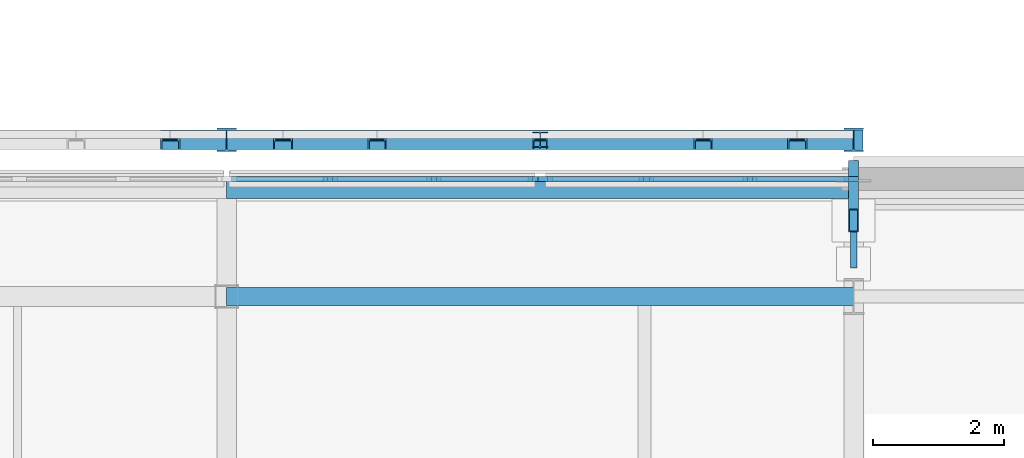
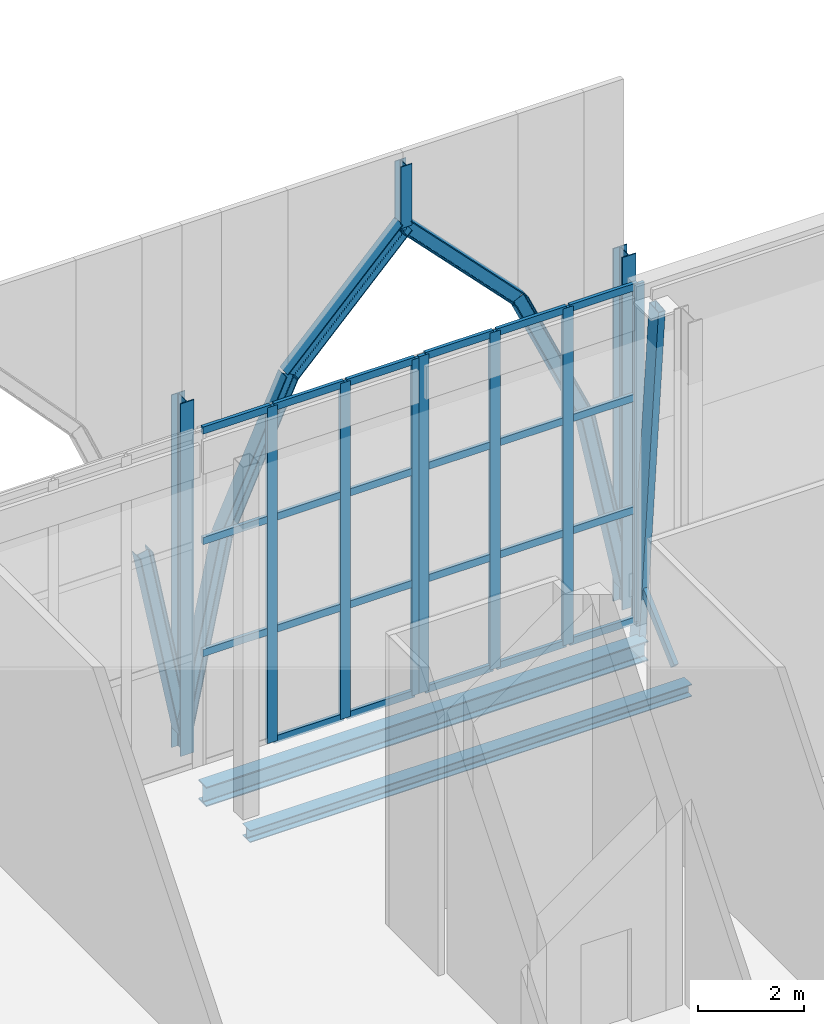
# One storey, part 30 of 79: 42 members, 2 beams, 2 elements without a shape of their own.
"""IFC4 building model written with IfcOpenShell, lengths in metres."""

from ifc_helpers import new_model, si_unit, direction, frame, origin, origin_2d, place, context, subcontext, project, spatial, rectangle, hollow_rectangle, i_section, extrude, material, layer, layer_set, material_profile, profile_set, type_object, element, aggregate, save


model = new_model("IFC4")

# Units and contexts
model_context = context("Model", 3, precision=1e-05, world=origin(), true_north=direction((0.0, 1.0)))
body_context = subcontext(model_context, "Body", "Model", "MODEL_VIEW")
ifc_project = project(units=[si_unit("LENGTHUNIT", "METRE"), si_unit("AREAUNIT", "SQUARE_METRE"), si_unit("VOLUMEUNIT", "CUBIC_METRE"), si_unit("PLANEANGLEUNIT", "RADIAN"), si_unit("MASSUNIT", "GRAM", prefix="KILO")], contexts=[model_context])

# Site, building, storey
site_placement = place(None, origin())
site = spatial("IfcSite", under=ifc_project, at=site_placement, CompositionType="ELEMENT")
building_placement = place(site_placement, origin())
building = spatial("IfcBuilding", under=site, at=building_placement, Name="Zereglee Splitstone Museum", CompositionType="ELEMENT")
storey_placement = place(building_placement, frame((0.0, 0.0, 9.0)))
storey = spatial("IfcBuildingStorey", under=building, at=storey_placement, Name="L02", CompositionType="ELEMENT", Elevation=9.0)

# Curtain wall, members
ifc_material_1 = material(Name="Triple-glazed low-E argon glass and bronze-anodised aluminium", Category="aluminium")
ifc_layer_1 = layer(ifc_material_1, 0.219970703125)
ifc_layer_set_1 = layer_set([ifc_layer_1], Name="Triple-glazed low-E argon glass and bronze-anodised aluminium")
curtain_wall_type_1 = type_object("IfcCurtainWallType", Name="CW-0476-774", PredefinedType="USERDEFINED", material=ifc_layer_set_1)
curtain_wall_1_placement = place(storey_placement, origin())
curtain_wall_1 = element("IfcCurtainWall", 1, at=curtain_wall_1_placement, inside=storey, type_object=curtain_wall_type_1, Name="Glazed Curtain Wall CW-0476-774 (L02)", ObjectType="GLAZED CURTAIN WALL", PredefinedType="USERDEFINED")
ifc_material_2 = material(Name="Thermally broken bronze-anodised aluminium", Category="aluminium")
ifc_material_profile_1 = material_profile(ifc_material_2, rectangle(XDim=0.074951171875, YDim=0.219970703125, at=origin_2d()), Name="CW MULL 75x220")
ifc_profile_set_1 = profile_set([ifc_material_profile_1], Name="Thermally broken bronze-anodised aluminium")
member_type_1 = type_object("IfcMemberType", Name="CWM-02", PredefinedType="MULLION", material=ifc_profile_set_1)
member_1_placement = place(storey_placement, frame((125.96240234375, 52.199951171875, 0.0), z_axis=(0.0, 0.0, 1.0), x_axis=(0.0, -1.0, 0.0)))
member_1 = element("IfcMember", 2, at=member_1_placement, type_object=member_type_1, Name="CW-0476-774 mullion 1", PredefinedType="MULLION", context=body_context, shape_type="SweptSolid", body=[
    extrude(rectangle(XDim=0.074951171875, YDim=0.219970703125, at=origin_2d()), origin(), (0.0, 0.0, 1.0), 7.739990234375),
])
member_2_placement = place(storey_placement, frame((124.413330078125, 52.199951171875, 0.0), z_axis=(0.0, 0.0, 1.0), x_axis=(0.0, -1.0, 0.0)))
member_2 = element("IfcMember", 3, at=member_2_placement, type_object=member_type_1, Name="CW-0476-774 mullion 2", PredefinedType="MULLION", context=body_context, shape_type="SweptSolid", body=[
    extrude(rectangle(XDim=0.074951171875, YDim=0.219970703125, at=origin_2d()), origin(), (0.0, 0.0, 1.0), 7.739990234375),
])
member_3_placement = place(storey_placement, frame((122.82666015625, 52.199951171875, 0.0), z_axis=(0.0, 0.0, 1.0), x_axis=(0.0, -1.0, 0.0)))
member_3 = element("IfcMember", 4, at=member_3_placement, type_object=member_type_1, Name="CW-0476-774 mullion 3", PredefinedType="MULLION", context=body_context, shape_type="SweptSolid", body=[
    extrude(rectangle(XDim=0.074951171875, YDim=0.219970703125, at=origin_2d()), origin(), (0.0, 0.0, 1.0), 7.739990234375),
])
member_4_placement = place(storey_placement, frame((121.277587890625, 52.199951171875, 0.0), z_axis=(0.0, 0.0, 1.0), x_axis=(0.0, -1.0, 0.0)))
member_4 = element("IfcMember", 5, at=member_4_placement, type_object=member_type_1, Name="CW-0476-774 mullion 4", PredefinedType="MULLION", context=body_context, shape_type="SweptSolid", body=[
    extrude(rectangle(XDim=0.074951171875, YDim=0.219970703125, at=origin_2d()), origin(), (0.0, 0.0, 1.0), 7.739990234375),
])

ifc_layer_2 = layer(ifc_material_1, 0.219970703125)
ifc_layer_set_2 = layer_set([ifc_layer_2], Name="Triple-glazed low-E argon glass and bronze-anodised aluminium")
curtain_wall_type_2 = type_object("IfcCurtainWallType", Name="CW-0476-772", PredefinedType="USERDEFINED", material=ifc_layer_set_2)
curtain_wall_2_placement = place(storey_placement, origin())
curtain_wall_2 = element("IfcCurtainWall", 6, at=curtain_wall_2_placement, inside=storey, type_object=curtain_wall_type_2, Name="Glazed Curtain Wall CW-0476-772 (L02)", ObjectType="GLAZED CURTAIN WALL", PredefinedType="USERDEFINED")
member_5_placement = place(storey_placement, frame((121.12255859375, 52.199951171875, 0.0), z_axis=(0.0, 0.0, 1.0), x_axis=(0.0, -1.0, 0.0)))
member_5 = element("IfcMember", 7, at=member_5_placement, type_object=member_type_1, Name="CW-0476-772 mullion 1", PredefinedType="MULLION", context=body_context, shape_type="SweptSolid", body=[
    extrude(rectangle(XDim=0.074951171875, YDim=0.219970703125, at=origin_2d()), origin(), (0.0, 0.0, 1.0), 7.719970703125),
])
member_6_placement = place(storey_placement, frame((119.5732421875, 52.199951171875, 0.0), z_axis=(0.0, 0.0, 1.0), x_axis=(0.0, -1.0, 0.0)))
member_6 = element("IfcMember", 8, at=member_6_placement, type_object=member_type_1, Name="CW-0476-772 mullion 2", PredefinedType="MULLION", context=body_context, shape_type="SweptSolid", body=[
    extrude(rectangle(XDim=0.074951171875, YDim=0.219970703125, at=origin_2d()), origin(), (0.0, 0.0, 1.0), 7.719970703125),
])
member_7_placement = place(storey_placement, frame((117.986572265625, 52.199951171875, 0.0), z_axis=(0.0, 0.0, 1.0), x_axis=(0.0, -1.0, 0.0)))
member_7 = element("IfcMember", 9, at=member_7_placement, type_object=member_type_1, Name="CW-0476-772 mullion 3", PredefinedType="MULLION", context=body_context, shape_type="SweptSolid", body=[
    extrude(rectangle(XDim=0.074951171875, YDim=0.219970703125, at=origin_2d()), origin(), (0.0, 0.0, 1.0), 7.719970703125),
])

# Member
ifc_material_profile_2 = material_profile(ifc_material_2, rectangle(XDim=0.074951171875, YDim=0.1650390625, at=origin_2d()), Name="CW TRAN 75x165")
ifc_profile_set_2 = profile_set([ifc_material_profile_2], Name="Thermally broken bronze-anodised aluminium")
member_type_2 = type_object("IfcMemberType", Name="CWT-02", PredefinedType="USERDEFINED", material=ifc_profile_set_2)
member_8_placement = place(storey_placement, frame((125.925048828125, 52.199951171875, 0.03759765625), z_axis=(-1.0, 0.0, 0.0), x_axis=(0.0, -1.0, 0.0)))
member_8 = element("IfcMember", 10, at=member_8_placement, type_object=member_type_2, Name="CW-0476-774 transom 1.1", ObjectType="TRANSOM", PredefinedType="USERDEFINED", context=body_context, shape_type="SweptSolid", body=[
    extrude(rectangle(XDim=0.074951171875, YDim=0.1650390625, at=origin_2d()), origin(), (0.0, 0.0, 1.0), 1.47412109375),
])

member_9_placement = place(storey_placement, frame((125.925048828125, 52.199951171875, 2.580078125), z_axis=(-1.0, 0.0, 0.0), x_axis=(0.0, -1.0, 0.0)))
member_9 = element("IfcMember", 11, at=member_9_placement, type_object=member_type_2, Name="CW-0476-774 transom 1.2", ObjectType="TRANSOM", PredefinedType="USERDEFINED", context=body_context, shape_type="SweptSolid", body=[
    extrude(rectangle(XDim=0.074951171875, YDim=0.1650390625, at=origin_2d()), origin(), (0.0, 0.0, 1.0), 1.47412109375),
])

member_10_placement = place(storey_placement, frame((125.925048828125, 52.199951171875, 5.159912109375), z_axis=(-1.0, 0.0, 0.0), x_axis=(0.0, -1.0, 0.0)))
member_10 = element("IfcMember", 12, at=member_10_placement, type_object=member_type_2, Name="CW-0476-774 transom 1.3", ObjectType="TRANSOM", PredefinedType="USERDEFINED", context=body_context, shape_type="SweptSolid", body=[
    extrude(rectangle(XDim=0.074951171875, YDim=0.1650390625, at=origin_2d()), origin(), (0.0, 0.0, 1.0), 1.47412109375),
])

member_11_placement = place(storey_placement, frame((125.925048828125, 52.199951171875, 7.702392578125), z_axis=(-1.0, 0.0, 0.0), x_axis=(0.0, -1.0, 0.0)))
member_11 = element("IfcMember", 13, at=member_11_placement, type_object=member_type_2, Name="CW-0476-774 transom 1.4", ObjectType="TRANSOM", PredefinedType="USERDEFINED", context=body_context, shape_type="SweptSolid", body=[
    extrude(rectangle(XDim=0.074951171875, YDim=0.1650390625, at=origin_2d()), origin(), (0.0, 0.0, 1.0), 1.47412109375),
])

member_12_placement = place(storey_placement, frame((124.375732421875, 52.199951171875, 0.03759765625), z_axis=(-1.0, 0.0, 0.0), x_axis=(0.0, -1.0, 0.0)))
member_12 = element("IfcMember", 14, at=member_12_placement, type_object=member_type_2, Name="CW-0476-774 transom 2.1", ObjectType="TRANSOM", PredefinedType="USERDEFINED", context=body_context, shape_type="SweptSolid", body=[
    extrude(rectangle(XDim=0.074951171875, YDim=0.1650390625, at=origin_2d()), origin(), (0.0, 0.0, 1.0), 1.511474609375),
])

member_13_placement = place(storey_placement, frame((124.375732421875, 52.199951171875, 2.580078125), z_axis=(-1.0, 0.0, 0.0), x_axis=(0.0, -1.0, 0.0)))
member_13 = element("IfcMember", 15, at=member_13_placement, type_object=member_type_2, Name="CW-0476-774 transom 2.2", ObjectType="TRANSOM", PredefinedType="USERDEFINED", context=body_context, shape_type="SweptSolid", body=[
    extrude(rectangle(XDim=0.074951171875, YDim=0.1650390625, at=origin_2d()), origin(), (0.0, 0.0, 1.0), 1.511474609375),
])

member_14_placement = place(storey_placement, frame((124.375732421875, 52.199951171875, 5.159912109375), z_axis=(-1.0, 0.0, 0.0), x_axis=(0.0, -1.0, 0.0)))
member_14 = element("IfcMember", 16, at=member_14_placement, type_object=member_type_2, Name="CW-0476-774 transom 2.3", ObjectType="TRANSOM", PredefinedType="USERDEFINED", context=body_context, shape_type="SweptSolid", body=[
    extrude(rectangle(XDim=0.074951171875, YDim=0.1650390625, at=origin_2d()), origin(), (0.0, 0.0, 1.0), 1.511474609375),
])

member_15_placement = place(storey_placement, frame((124.375732421875, 52.199951171875, 7.702392578125), z_axis=(-1.0, 0.0, 0.0), x_axis=(0.0, -1.0, 0.0)))
member_15 = element("IfcMember", 17, at=member_15_placement, type_object=member_type_2, Name="CW-0476-774 transom 2.4", ObjectType="TRANSOM", PredefinedType="USERDEFINED", context=body_context, shape_type="SweptSolid", body=[
    extrude(rectangle(XDim=0.074951171875, YDim=0.1650390625, at=origin_2d()), origin(), (0.0, 0.0, 1.0), 1.511474609375),
])

member_16_placement = place(storey_placement, frame((122.7890625, 52.199951171875, 0.03759765625), z_axis=(-1.0, 0.0, 0.0), x_axis=(0.0, -1.0, 0.0)))
member_16 = element("IfcMember", 18, at=member_16_placement, type_object=member_type_2, Name="CW-0476-774 transom 3.1", ObjectType="TRANSOM", PredefinedType="USERDEFINED", context=body_context, shape_type="SweptSolid", body=[
    extrude(rectangle(XDim=0.074951171875, YDim=0.1650390625, at=origin_2d()), origin(), (0.0, 0.0, 1.0), 1.47412109375),
])

member_17_placement = place(storey_placement, frame((122.7890625, 52.199951171875, 2.580078125), z_axis=(-1.0, 0.0, 0.0), x_axis=(0.0, -1.0, 0.0)))
member_17 = element("IfcMember", 19, at=member_17_placement, type_object=member_type_2, Name="CW-0476-774 transom 3.2", ObjectType="TRANSOM", PredefinedType="USERDEFINED", context=body_context, shape_type="SweptSolid", body=[
    extrude(rectangle(XDim=0.074951171875, YDim=0.1650390625, at=origin_2d()), origin(), (0.0, 0.0, 1.0), 1.47412109375),
])

member_18_placement = place(storey_placement, frame((122.7890625, 52.199951171875, 5.159912109375), z_axis=(-1.0, 0.0, 0.0), x_axis=(0.0, -1.0, 0.0)))
member_18 = element("IfcMember", 20, at=member_18_placement, type_object=member_type_2, Name="CW-0476-774 transom 3.3", ObjectType="TRANSOM", PredefinedType="USERDEFINED", context=body_context, shape_type="SweptSolid", body=[
    extrude(rectangle(XDim=0.074951171875, YDim=0.1650390625, at=origin_2d()), origin(), (0.0, 0.0, 1.0), 1.47412109375),
])

member_19_placement = place(storey_placement, frame((122.7890625, 52.199951171875, 7.702392578125), z_axis=(-1.0, 0.0, 0.0), x_axis=(0.0, -1.0, 0.0)))
member_19 = element("IfcMember", 21, at=member_19_placement, type_object=member_type_2, Name="CW-0476-774 transom 3.4", ObjectType="TRANSOM", PredefinedType="USERDEFINED", context=body_context, shape_type="SweptSolid", body=[
    extrude(rectangle(XDim=0.074951171875, YDim=0.1650390625, at=origin_2d()), origin(), (0.0, 0.0, 1.0), 1.47412109375),
])

aggregate(curtain_wall_1, [member_1, member_2, member_3, member_4, member_8, member_9, member_10, member_11, member_12, member_13, member_14, member_15, member_16, member_17, member_18, member_19])

member_20_placement = place(storey_placement, frame((121.0849609375, 52.199951171875, 0.03759765625), z_axis=(-1.0, 0.0, 0.0), x_axis=(0.0, -1.0, 0.0)))
member_20 = element("IfcMember", 22, at=member_20_placement, type_object=member_type_2, Name="CW-0476-772 transom 1.1", ObjectType="TRANSOM", PredefinedType="USERDEFINED", context=body_context, shape_type="SweptSolid", body=[
    extrude(rectangle(XDim=0.074951171875, YDim=0.1650390625, at=origin_2d()), origin(), (0.0, 0.0, 1.0), 1.47412109375),
])

member_21_placement = place(storey_placement, frame((121.0849609375, 52.199951171875, 2.5732421875), z_axis=(-1.0, 0.0, 0.0), x_axis=(0.0, -1.0, 0.0)))
member_21 = element("IfcMember", 23, at=member_21_placement, type_object=member_type_2, Name="CW-0476-772 transom 1.2", ObjectType="TRANSOM", PredefinedType="USERDEFINED", context=body_context, shape_type="SweptSolid", body=[
    extrude(rectangle(XDim=0.074951171875, YDim=0.1650390625, at=origin_2d()), origin(), (0.0, 0.0, 1.0), 1.47412109375),
])

member_22_placement = place(storey_placement, frame((121.0849609375, 52.199951171875, 5.146728515625), z_axis=(-1.0, 0.0, 0.0), x_axis=(0.0, -1.0, 0.0)))
member_22 = element("IfcMember", 24, at=member_22_placement, type_object=member_type_2, Name="CW-0476-772 transom 1.3", ObjectType="TRANSOM", PredefinedType="USERDEFINED", context=body_context, shape_type="SweptSolid", body=[
    extrude(rectangle(XDim=0.074951171875, YDim=0.1650390625, at=origin_2d()), origin(), (0.0, 0.0, 1.0), 1.47412109375),
])

member_23_placement = place(storey_placement, frame((121.0849609375, 52.199951171875, 7.6826171875), z_axis=(-1.0, 0.0, 0.0), x_axis=(0.0, -1.0, 0.0)))
member_23 = element("IfcMember", 25, at=member_23_placement, type_object=member_type_2, Name="CW-0476-772 transom 1.4", ObjectType="TRANSOM", PredefinedType="USERDEFINED", context=body_context, shape_type="SweptSolid", body=[
    extrude(rectangle(XDim=0.074951171875, YDim=0.1650390625, at=origin_2d()), origin(), (0.0, 0.0, 1.0), 1.47412109375),
])

member_24_placement = place(storey_placement, frame((119.535888671875, 52.199951171875, 0.03759765625), z_axis=(-1.0, 0.0, 0.0), x_axis=(0.0, -1.0, 0.0)))
member_24 = element("IfcMember", 26, at=member_24_placement, type_object=member_type_2, Name="CW-0476-772 transom 2.1", ObjectType="TRANSOM", PredefinedType="USERDEFINED", context=body_context, shape_type="SweptSolid", body=[
    extrude(rectangle(XDim=0.074951171875, YDim=0.1650390625, at=origin_2d()), origin(), (0.0, 0.0, 1.0), 1.51171875),
])

member_25_placement = place(storey_placement, frame((119.535888671875, 52.199951171875, 2.5732421875), z_axis=(-1.0, 0.0, 0.0), x_axis=(0.0, -1.0, 0.0)))
member_25 = element("IfcMember", 27, at=member_25_placement, type_object=member_type_2, Name="CW-0476-772 transom 2.2", ObjectType="TRANSOM", PredefinedType="USERDEFINED", context=body_context, shape_type="SweptSolid", body=[
    extrude(rectangle(XDim=0.074951171875, YDim=0.1650390625, at=origin_2d()), origin(), (0.0, 0.0, 1.0), 1.51171875),
])

member_26_placement = place(storey_placement, frame((119.535888671875, 52.199951171875, 5.146728515625), z_axis=(-1.0, 0.0, 0.0), x_axis=(0.0, -1.0, 0.0)))
member_26 = element("IfcMember", 28, at=member_26_placement, type_object=member_type_2, Name="CW-0476-772 transom 2.3", ObjectType="TRANSOM", PredefinedType="USERDEFINED", context=body_context, shape_type="SweptSolid", body=[
    extrude(rectangle(XDim=0.074951171875, YDim=0.1650390625, at=origin_2d()), origin(), (0.0, 0.0, 1.0), 1.51171875),
])

member_27_placement = place(storey_placement, frame((119.535888671875, 52.199951171875, 7.6826171875), z_axis=(-1.0, 0.0, 0.0), x_axis=(0.0, -1.0, 0.0)))
member_27 = element("IfcMember", 29, at=member_27_placement, type_object=member_type_2, Name="CW-0476-772 transom 2.4", ObjectType="TRANSOM", PredefinedType="USERDEFINED", context=body_context, shape_type="SweptSolid", body=[
    extrude(rectangle(XDim=0.074951171875, YDim=0.1650390625, at=origin_2d()), origin(), (0.0, 0.0, 1.0), 1.51171875),
])

member_28_placement = place(storey_placement, frame((117.94921875, 52.199951171875, 2.5732421875), z_axis=(-1.0, 0.0, 0.0), x_axis=(0.0, -1.0, 0.0)))
member_28 = element("IfcMember", 30, at=member_28_placement, type_object=member_type_2, Name="CW-0476-772 transom 3.2", ObjectType="TRANSOM", PredefinedType="USERDEFINED", context=body_context, shape_type="SweptSolid", body=[
    extrude(rectangle(XDim=0.074951171875, YDim=0.1650390625, at=origin_2d()), origin(), (0.0, 0.0, 1.0), 1.47412109375),
])

member_29_placement = place(storey_placement, frame((117.94921875, 52.199951171875, 5.146728515625), z_axis=(-1.0, 0.0, 0.0), x_axis=(0.0, -1.0, 0.0)))
member_29 = element("IfcMember", 31, at=member_29_placement, type_object=member_type_2, Name="CW-0476-772 transom 3.3", ObjectType="TRANSOM", PredefinedType="USERDEFINED", context=body_context, shape_type="SweptSolid", body=[
    extrude(rectangle(XDim=0.074951171875, YDim=0.1650390625, at=origin_2d()), origin(), (0.0, 0.0, 1.0), 1.47412109375),
])

member_30_placement = place(storey_placement, frame((117.94921875, 52.199951171875, 7.6826171875), z_axis=(-1.0, 0.0, 0.0), x_axis=(0.0, -1.0, 0.0)))
member_30 = element("IfcMember", 32, at=member_30_placement, type_object=member_type_2, Name="CW-0476-772 transom 3.4", ObjectType="TRANSOM", PredefinedType="USERDEFINED", context=body_context, shape_type="SweptSolid", body=[
    extrude(rectangle(XDim=0.074951171875, YDim=0.1650390625, at=origin_2d()), origin(), (0.0, 0.0, 1.0), 1.47412109375),
])

aggregate(curtain_wall_2, [member_5, member_6, member_7, member_20, member_21, member_22, member_23, member_24, member_25, member_26, member_27, member_28, member_29, member_30])

# Members
ifc_material_3 = material(Name="Steel S355J2", Category="steel")
ifc_material_profile_3 = material_profile(ifc_material_3, i_section(OverallWidth=0.300048828125, OverallDepth=0.300048828125, WebThickness=0.010986328125, FlangeThickness=0.01904296875, FilletRadius=0.027099609375, at=origin_2d()), Name="HE 300 B")
ifc_profile_set_3 = profile_set([ifc_material_profile_3], Name="Steel S355J2")
member_type_3 = type_object("IfcMemberType", Name="TC-08", PredefinedType="CHORD", material=ifc_profile_set_3)
member_31_placement = place(storey_placement, frame((115.535888671875, 52.800048828125, 4.846923828125), z_axis=(0.194950707798, 0.0, -0.980813041068), x_axis=(0.0, 1.0, 0.0)))
element("IfcMember", 33, at=member_31_placement, inside=storey, type_object=member_type_3, Name="Mughal Four-Centred Pointed Arch Rib PSQ-ATRN-2-6", PredefinedType="CHORD", context=body_context, shape_type="SweptSolid", body=[
    extrude(i_section(OverallWidth=0.300048828125, OverallDepth=0.300048828125, WebThickness=0.010986328125, FlangeThickness=0.01904296875, FilletRadius=0.027099609375, at=origin_2d()), origin(), (0.0, 0.0, 1.0), 4.431884765625),
])
member_32_placement = place(storey_placement, frame((116.39990234375, 52.800048828125, 0.5), z_axis=(0.203451466719, 0.0, 0.97908503241), x_axis=(0.0, 1.0, 0.0)))
element("IfcMember", 34, at=member_32_placement, inside=storey, type_object=member_type_3, Name="Mughal Four-Centred Pointed Arch Rib PSQ-ATRN-3-1", PredefinedType="CHORD", context=body_context, shape_type="SweptSolid", body=[
    extrude(i_section(OverallWidth=0.300048828125, OverallDepth=0.300048828125, WebThickness=0.010986328125, FlangeThickness=0.01904296875, FilletRadius=0.027099609375, at=origin_2d()), origin(), (0.0, 0.0, 1.0), 4.246826171875),
])
member_33_placement = place(storey_placement, frame((117.263916015625, 52.800048828125, 4.657958984375), z_axis=(0.413850515302, 0.0, 0.910344852781), x_axis=(0.0, 1.0, 0.0)))
element("IfcMember", 35, at=member_33_placement, inside=storey, type_object=member_type_3, Name="Mughal Four-Centred Pointed Arch Rib PSQ-ATRN-3-2", PredefinedType="CHORD", context=body_context, shape_type="SweptSolid", body=[
    extrude(i_section(OverallWidth=0.300048828125, OverallDepth=0.300048828125, WebThickness=0.010986328125, FlangeThickness=0.01904296875, FilletRadius=0.027099609375, at=origin_2d()), origin(), (0.0, 0.0, 1.0), 3.47998046875),
])
for number, where, z_axis, x_axis, name in (
    (36, (118.7041015625, 52.800048828125, 7.825927734375), (0.696127756872, 0.0, 0.717917924357), (0.0, 1.0, 0.0), "Mughal Four-Centred Pointed Arch Rib PSQ-ATRN-3-3"),
    (37, (121.199951171875, 52.800048828125, 10.39990234375), (0.696162850583, 0.0, -0.717883894141), (0.0, 1.0, 0.0), "Mughal Four-Centred Pointed Arch Rib PSQ-ATRN-3-4"),
):
    element("IfcMember", number, at=place(storey_placement, frame(where, z_axis=z_axis, x_axis=x_axis)), inside=storey, type_object=member_type_3, Name=name, PredefinedType="CHORD", context=body_context, shape_type="SweptSolid", body=[
        extrude(i_section(OverallWidth=0.300048828125, OverallDepth=0.300048828125, WebThickness=0.010986328125, FlangeThickness=0.01904296875, FilletRadius=0.027099609375, at=origin_2d()), origin(), (0.0, 0.0, 1.0), 3.58544921875),
    ])
member_34_placement = place(storey_placement, frame((123.696044921875, 52.800048828125, 7.825927734375), z_axis=(0.413792372507, 0.0, -0.910371282749), x_axis=(0.0, 1.0, 0.0)))
element("IfcMember", 38, at=member_34_placement, inside=storey, type_object=member_type_3, Name="Mughal Four-Centred Pointed Arch Rib PSQ-ATRN-3-5", PredefinedType="CHORD", context=body_context, shape_type="SweptSolid", body=[
    extrude(i_section(OverallWidth=0.300048828125, OverallDepth=0.300048828125, WebThickness=0.010986328125, FlangeThickness=0.01904296875, FilletRadius=0.027099609375, at=origin_2d()), origin(), (0.0, 0.0, 1.0), 3.47998046875),
])
member_35_placement = place(storey_placement, frame((125.135986328125, 52.800048828125, 4.657958984375), z_axis=(0.203451466719, 0.0, -0.97908503241), x_axis=(0.0, 1.0, 0.0)))
element("IfcMember", 39, at=member_35_placement, inside=storey, type_object=member_type_3, Name="Mughal Four-Centred Pointed Arch Rib PSQ-ATRN-3-6", PredefinedType="CHORD", context=body_context, shape_type="SweptSolid", body=[
    extrude(i_section(OverallWidth=0.300048828125, OverallDepth=0.300048828125, WebThickness=0.010986328125, FlangeThickness=0.01904296875, FilletRadius=0.027099609375, at=origin_2d()), origin(), (0.0, 0.0, 1.0), 4.246826171875),
])
ifc_material_profile_4 = material_profile(ifc_material_3, i_section(OverallWidth=0.300048828125, OverallDepth=0.360107421875, WebThickness=0.012451171875, FlangeThickness=0.0224609375, FilletRadius=0.027099609375, at=origin_2d()), Name="HE 360 B")
ifc_profile_set_4 = profile_set([ifc_material_profile_4], Name="Steel S355J2")
member_type_4 = type_object("IfcMemberType", Name="TC-06", PredefinedType="CHORD", material=ifc_profile_set_4)
for number, where, z_axis, x_axis, name in (
    (40, (116.39990234375, 52.800048828125, 0.0), (0.0, 0.0, 1.0), (1.0, 0.0, 0.0), "Mughal Guldasta Hovering Portal Pier G11 L02"),
    (41, (126.0, 52.800048828125, 0.0), (0.0, 0.0, 1.0), (1.0, 0.0, 0.0), "Mughal Guldasta Hovering Portal Pier G12 L02"),
):
    element("IfcMember", number, at=place(storey_placement, frame(where, z_axis=z_axis, x_axis=x_axis)), inside=storey, type_object=member_type_4, Name=name, PredefinedType="CHORD", context=body_context, shape_type="SweptSolid", body=[
        extrude(i_section(OverallWidth=0.300048828125, OverallDepth=0.360107421875, WebThickness=0.012451171875, FlangeThickness=0.0224609375, FilletRadius=0.027099609375, at=origin_2d()), origin(), (0.0, 0.0, 1.0), 8.10009765625),
    ])
ifc_material_profile_5 = material_profile(ifc_material_3, i_section(OverallWidth=0.239990234375, OverallDepth=0.239990234375, WebThickness=0.010009765625, FlangeThickness=0.01708984375, FilletRadius=0.02099609375, at=origin_2d()), Name="HE 240 B")
ifc_profile_set_5 = profile_set([ifc_material_profile_5], Name="Steel S355J2")
member_type_5 = type_object("IfcMemberType", Name="TP-02", PredefinedType="POST", material=ifc_profile_set_5)
member_36_placement = place(storey_placement, frame((121.199951171875, 52.800048828125, 10.39990234375), z_axis=(0.0, 0.0, 1.0), x_axis=(1.0, 0.0, 0.0)))
element("IfcMember", 42, at=member_36_placement, inside=storey, type_object=member_type_5, Name="Mughal Pishtaq Crown King-Post PSQ-ATRN-3", PredefinedType="POST", context=body_context, shape_type="SweptSolid", body=[
    extrude(i_section(OverallWidth=0.239990234375, OverallDepth=0.239990234375, WebThickness=0.010009765625, FlangeThickness=0.01708984375, FilletRadius=0.02099609375, at=origin_2d()), origin(), (0.0, 0.0, 1.0), 1.4150390625),
])

# Beams
ifc_material_profile_6 = material_profile(ifc_material_3, i_section(OverallWidth=0.280029296875, OverallDepth=0.280029296875, WebThickness=0.010498046875, FlangeThickness=0.01806640625, FilletRadius=0.02392578125, at=origin_2d()), Name="HE 280 B")
ifc_profile_set_6 = profile_set([ifc_material_profile_6], Name="Steel S355J2")
beam_type_1 = type_object("IfcBeamType", Name="SP-03", PredefinedType="SPANDREL", material=ifc_profile_set_6)
beam_1_placement = place(storey_placement, frame((116.39990234375, 50.39990234375, -0.4599609375), z_axis=(1.0, 0.0, 0.0), x_axis=(0.0, 1.0, 0.0)))
element("IfcBeam", 43, at=beam_1_placement, inside=storey, type_object=beam_type_1, Name="Primary Girder L02 F (116.4-126.0)", PredefinedType="SPANDREL", context=body_context, shape_type="SweptSolid", body=[
    extrude(i_section(OverallWidth=0.280029296875, OverallDepth=0.280029296875, WebThickness=0.010498046875, FlangeThickness=0.01806640625, FilletRadius=0.02392578125, at=origin_2d()), origin(), (0.0, 0.0, 1.0), 9.60009765625),
])
ifc_material_profile_7 = material_profile(ifc_material_3, i_section(OverallWidth=0.300048828125, OverallDepth=0.449951171875, WebThickness=0.013916015625, FlangeThickness=0.02587890625, FilletRadius=0.027099609375, at=origin_2d()), Name="HE 450 B")
ifc_profile_set_7 = profile_set([ifc_material_profile_7], Name="Steel S355J2")
beam_type_2 = type_object("IfcBeamType", Name="SP-02", PredefinedType="SPANDREL", material=ifc_profile_set_7)
beam_2_placement = place(storey_placement, frame((116.39990234375, 52.050048828125, -0.544921875), z_axis=(1.0, 0.0, 0.0), x_axis=(0.0, 1.0, 0.0)))
element("IfcBeam", 44, at=beam_2_placement, inside=storey, type_object=beam_type_2, Name="Hovering Soffit Spandrel L02 (116.4-126.0)", PredefinedType="SPANDREL", context=body_context, shape_type="SweptSolid", body=[
    extrude(i_section(OverallWidth=0.300048828125, OverallDepth=0.449951171875, WebThickness=0.013916015625, FlangeThickness=0.02587890625, FilletRadius=0.027099609375, at=origin_2d()), origin(), (0.0, 0.0, 1.0), 9.60009765625),
])

# Members
ifc_material_4 = material(Name="Steel S355J2H", Category="steel")
ifc_material_profile_8 = material_profile(ifc_material_4, hollow_rectangle(XDim=0.14990234375, YDim=0.35009765625, WallThickness=0.012451171875, at=origin_2d()), Name="RHS 350x150x12.5")
ifc_profile_set_8 = profile_set([ifc_material_profile_8], Name="Steel S355J2H")
member_type_6 = type_object("IfcMemberType", Name="FS-R0", PredefinedType="STRUT", material=ifc_profile_set_8)
member_37_placement = place(storey_placement, frame((126.0, 52.304931640625, -0.570068359375), z_axis=(0.0, -0.090888526295, 0.995861072534), x_axis=(1.0, 0.0, 0.0)))
element("IfcMember", 45, at=member_37_placement, inside=storey, type_object=member_type_6, Name="Split-Rock Continuous Facet Strut FH-V2NE L02-01", PredefinedType="STRUT", context=body_context, shape_type="SweptSolid", body=[
    extrude(hollow_rectangle(XDim=0.14990234375, YDim=0.35009765625, WallThickness=0.012451171875, at=origin_2d()), origin(), (0.0, 0.0, 1.0), 8.174072265625),
])
ifc_material_profile_9 = material_profile(ifc_material_4, hollow_rectangle(XDim=0.10009765625, YDim=0.179931640625, WallThickness=0.008056640625, at=origin_2d()), Name="RHS 180x100x8")
ifc_profile_set_9 = profile_set([ifc_material_profile_9], Name="Steel S355J2H")
member_type_7 = type_object("IfcMemberType", Name="FS-T2", PredefinedType="STRUT", material=ifc_profile_set_9)
member_38_placement = place(storey_placement, frame((126.0, 50.89990234375, -0.280029296875), z_axis=(0.0, 0.739099080586, 0.673596725851), x_axis=(-1.0, 0.0, 0.0)))
element("IfcMember", 46, at=member_38_placement, inside=storey, type_object=member_type_7, Name="Facet Tie-Back Strut FH-V2NE L02-01", PredefinedType="STRUT", context=body_context, shape_type="SweptSolid", body=[
    extrude(hollow_rectangle(XDim=0.10009765625, YDim=0.179931640625, WallThickness=0.008056640625, at=origin_2d()), origin(), (0.0, 0.0, 1.0), 1.721923828125),
])

save(model, "model.ifc")
